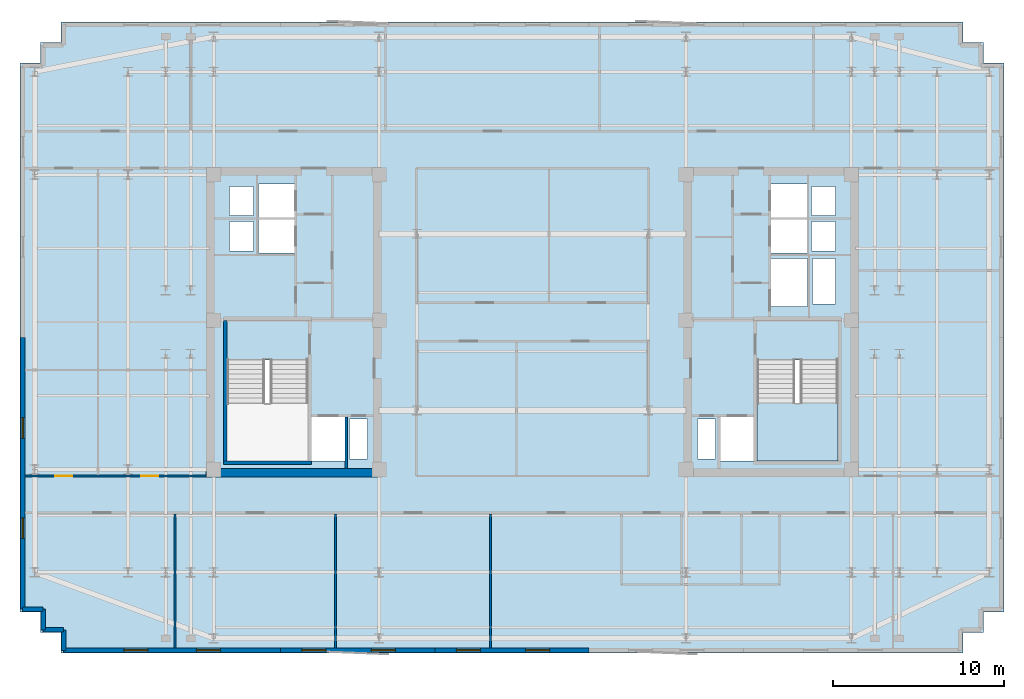
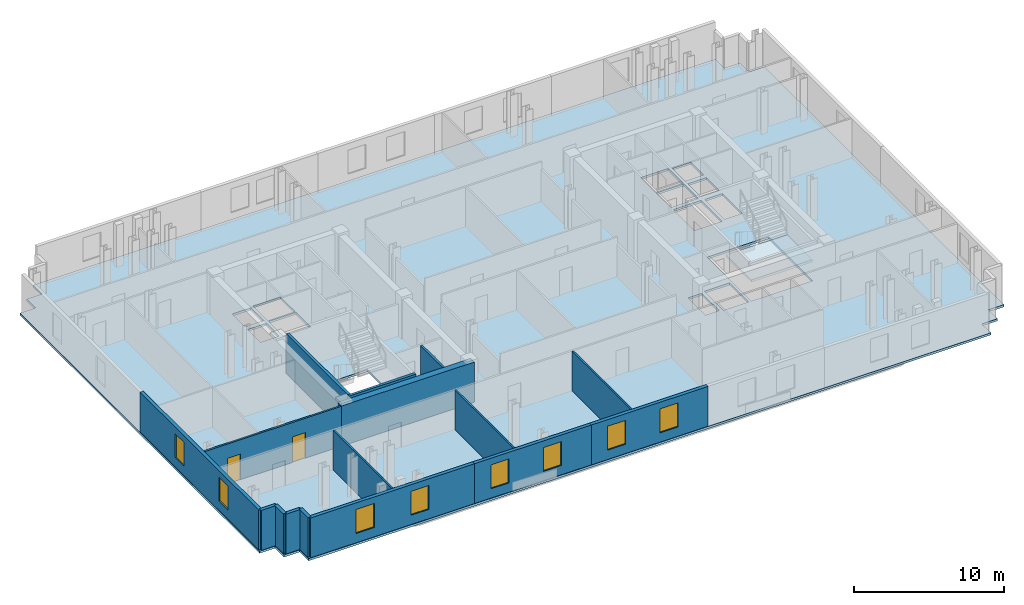
# One storey, part 3 of 9: 16 walls, 8 windows, 2 doors, 2 slabs, 10 openings, 1 element without a shape of its own.
"""IFC4 building model written with IfcOpenShell, lengths in metres."""

from ifc_helpers import new_model, si_unit, direction, frame, frame_2d, origin, place, context, subcontext, project, spatial, polyline, rectangle, outline, extrude, material, layer, layer_set, type_object, element, fill, aggregate, save


model = new_model("IFC4")

# Units and contexts
model_context = context("Model", 3, precision=1e-05, world=origin(), true_north=direction((0.0, 1.0)))
body_context = subcontext(model_context, "Body", "Model", "MODEL_VIEW")
ifc_project = project(units=[si_unit("LENGTHUNIT", "METRE"), si_unit("AREAUNIT", "SQUARE_METRE"), si_unit("VOLUMEUNIT", "CUBIC_METRE"), si_unit("PLANEANGLEUNIT", "RADIAN"), si_unit("MASSUNIT", "GRAM", prefix="KILO")], contexts=[model_context])

# Site, building, storey
site_placement = place(None, origin())
site = spatial("IfcSite", under=ifc_project, at=site_placement, CompositionType="ELEMENT")
building_placement = place(site_placement, origin())
building = spatial("IfcBuilding", under=site, at=building_placement, Name="Velakula Bourse", CompositionType="ELEMENT")
storey_placement = place(building_placement, frame((0.0, 0.0, 222.300048828125)))
storey = spatial("IfcBuildingStorey", under=building, at=storey_placement, Name="L60", CompositionType="ELEMENT", Elevation=222.300048828125)

# Stair, slab
ifc_material_1 = material(Name="Concrete M45 (fck 45 MPa)", Category="concrete")
stair_type = type_object("IfcStairType", Name="STR-DOG-390", PredefinedType="HALF_TURN_STAIR", material=ifc_material_1)
stair_placement = place(storey_placement, origin())
stair = element("IfcStair", 1, at=stair_placement, inside=storey, type_object=stair_type, Name="L60 East Core Exit Stair ST-E1", PredefinedType="HALF_TURN_STAIR")
ifc_layer_1 = layer(ifc_material_1, 0.199951171875, Name="Concrete M45 (fck 45 MPa)", Category="concrete")
ifc_layer_set_1 = layer_set([ifc_layer_1], Name="Concrete M45 (fck 45 MPa)")
slab_type_1 = type_object("IfcSlabType", Name="SLB-STAIR-LND-200", PredefinedType="LANDING", material=ifc_layer_set_1)
slab_1_placement = place(storey_placement, frame((0.0, 0.0, 1.52490234375)))
slab_1 = element("IfcSlab", 2, at=slab_1_placement, type_object=slab_type_1, Name="ST-E1 landing 1", PredefinedType="LANDING", context=body_context, shape_type="SweptSolid", body=[
    extrude(outline(polyline([(13.10009765625, -4.719970703125), (13.10009765625, -8.10009765625), (17.820068359375, -8.10009765625), (17.820068359375, -4.719970703125), (13.10009765625, -4.719970703125)])), origin(), (0.0, 0.0, 1.0), 0.199951171875),
])
aggregate(stair, [slab_1])

# Slab
ifc_material_2 = material(Name="Concrete M50 (fck 50 MPa)", Category="concrete")
ifc_layer_2 = layer(ifc_material_2, 0.179931640625, Name="Concrete M50 (fck 50 MPa)", Category="concrete")
ifc_layer_set_2 = layer_set([ifc_layer_2], Name="Concrete M50 (fck 50 MPa)")
slab_type_2 = type_object("IfcSlabType", Name="SLB-TWR-180", PredefinedType="FLOOR", material=ifc_layer_set_2)
slab_2_placement = place(storey_placement, frame((0.0, 0.0, -0.179931640625)))
element("IfcSlab", 3, at=slab_2_placement, inside=storey, type_object=slab_type_2, Name="L60 Suspended Structural Floor Slab", PredefinedType="FLOOR", context=body_context, shape_type="SweptSolid", body=[
    extrude(outline(polyline([(-27.5, -19.300048828125), (25.10009765625, -19.300048828125), (25.10009765625, -18.10009765625), (26.300048828125, -18.10009765625), (26.300048828125, -16.89990234375), (27.5, -16.89990234375), (27.5, 15.10009765625), (26.300048828125, 15.10009765625), (26.300048828125, 16.300048828125), (25.10009765625, 16.300048828125), (25.10009765625, 17.5), (-27.5, 17.5), (-27.5, 16.300048828125), (-28.699951171875, 16.300048828125), (-28.699951171875, 15.10009765625), (-29.89990234375, 15.10009765625), (-29.89990234375, -16.89990234375), (-28.699951171875, -16.89990234375), (-28.699951171875, -18.10009765625), (-27.5, -18.10009765625), (-27.5, -19.300048828125)]), holes=[polyline([(-17.820068359375, -8.10009765625), (-13.10009765625, -8.10009765625), (-13.10009765625, -2.199951171875), (-17.820068359375, -2.199951171875), (-17.820068359375, -8.10009765625)]), polyline([(13.10009765625, -8.10009765625), (17.820068359375, -8.10009765625), (17.820068359375, -2.199951171875), (13.10009765625, -2.199951171875), (13.10009765625, -8.10009765625)]), polyline([(-12.89990234375, -8.10009765625), (-10.949951171875, -8.10009765625), (-10.949951171875, -5.550048828125), (-12.89990234375, -5.550048828125), (-12.89990234375, -8.10009765625)]), polyline([(10.949951171875, -8.10009765625), (12.89990234375, -8.10009765625), (12.89990234375, -5.550048828125), (10.949951171875, -5.550048828125), (10.949951171875, -8.10009765625)]), polyline([(13.89990234375, 0.919921875), (16.050048828125, 0.919921875), (16.050048828125, 3.719970703125), (13.89990234375, 3.719970703125), (13.89990234375, 0.919921875)]), polyline([(-10.679931640625, -7.97998046875), (-9.6201171875, -7.97998046875), (-9.6201171875, -5.669921875), (-10.679931640625, -5.669921875), (-10.679931640625, -7.97998046875)]), polyline([(-17.679931640625, 4.139892578125), (-16.27001953125, 4.139892578125), (-16.27001953125, 5.85009765625), (-17.679931640625, 5.85009765625), (-17.679931640625, 4.139892578125)]), polyline([(-17.679931640625, 6.2099609375), (-16.27001953125, 6.2099609375), (-16.27001953125, 7.919921875), (-17.679931640625, 7.919921875), (-17.679931640625, 6.2099609375)]), polyline([(9.6201171875, -7.97998046875), (10.679931640625, -7.97998046875), (10.679931640625, -5.669921875), (9.6201171875, -5.669921875), (9.6201171875, -7.97998046875)]), polyline([(16.27001953125, 4.139892578125), (17.679931640625, 4.139892578125), (17.679931640625, 5.85009765625), (16.27001953125, 5.85009765625), (16.27001953125, 4.139892578125)]), polyline([(16.27001953125, 6.2099609375), (17.679931640625, 6.2099609375), (17.679931640625, 7.919921875), (16.27001953125, 7.919921875), (16.27001953125, 6.2099609375)]), polyline([(16.320068359375, 1.0400390625), (17.679931640625, 1.0400390625), (17.679931640625, 3.699951171875), (16.320068359375, 3.699951171875), (16.320068359375, 1.0400390625)]), polyline([(-16.0, 4.02001953125), (-13.89990234375, 4.02001953125), (-13.89990234375, 5.969970703125), (-16.0, 5.969970703125), (-16.0, 4.02001953125)]), polyline([(-16.0, 6.090087890625), (-13.89990234375, 6.090087890625), (-13.89990234375, 8.0400390625), (-16.0, 8.0400390625), (-16.0, 6.090087890625)]), polyline([(13.89990234375, 4.02001953125), (16.0, 4.02001953125), (16.0, 5.969970703125), (13.89990234375, 5.969970703125), (13.89990234375, 4.02001953125)]), polyline([(13.89990234375, 6.090087890625), (16.0, 6.090087890625), (16.0, 8.0400390625), (13.89990234375, 8.0400390625), (13.89990234375, 6.090087890625)])]), origin(), (0.0, 0.0, 1.0), 0.179931640625),
])

# Walls
ifc_layer_3 = layer(ifc_material_2, 0.2099609375, Name="Concrete M50 (fck 50 MPa)", Category="concrete")
ifc_layer_set_3 = layer_set([ifc_layer_3], Name="Concrete M50 (fck 50 MPa)")
wall_type_1 = type_object("IfcWallType", Name="WL-CORE-210", PredefinedType="SHEAR", material=ifc_layer_set_3)
wall_1_placement = place(storey_placement, frame((-17.925048828125, -8.10009765625, 0.0), z_axis=(0.0, 0.0, 1.0), x_axis=(0.0, 1.0, 0.0)))
element("IfcWall", 4, at=wall_1_placement, inside=storey, type_object=wall_type_1, Name="L60 Core W Stairwell Shear Wall OUT", PredefinedType="SHEAR", context=body_context, shape_type="SweptSolid", body=[
    extrude(rectangle(XDim=8.2001953125, YDim=0.2099609375, at=frame_2d((4.10009765625, 0.0))), origin(), (0.0, 0.0, 1.0), 3.27001953125),
])
wall_2_placement = place(storey_placement, frame((-18.030029296875, -8.205078125, 0.0), z_axis=(0.0, 0.0, 1.0), x_axis=(1.0, 0.0, 0.0)))
element("IfcWall", 5, at=wall_2_placement, inside=storey, type_object=wall_type_1, Name="L60 Core W Stairwell Shear Wall S", PredefinedType="SHEAR", context=body_context, shape_type="SweptSolid", body=[
    extrude(rectangle(XDim=5.14013671875, YDim=0.2099609375, at=frame_2d((2.570068359375, 0.0))), origin(), (0.0, 0.0, 1.0), 3.27001953125),
])
ifc_layer_4 = layer(ifc_material_2, 0.5, Name="Concrete M50 (fck 50 MPa)", Category="concrete")
ifc_layer_set_4 = layer_set([ifc_layer_4], Name="Concrete M50 (fck 50 MPa)")
wall_type_2 = type_object("IfcWallType", Name="WL-CORE-500", PredefinedType="SHEAR", material=ifc_layer_set_4)
wall_3_placement = place(storey_placement, frame((-19.050048828125, -8.800048828125, 0.0), z_axis=(0.0, 0.0, 1.0), x_axis=(1.0, 0.0, 0.0)))
element("IfcWall", 6, at=wall_3_placement, inside=storey, type_object=wall_type_2, Name="L60 Core W Shear Wall S", PredefinedType="SHEAR", context=body_context, shape_type="SweptSolid", body=[
    extrude(rectangle(XDim=10.25, YDim=0.5, at=frame_2d((5.125, 0.0))), origin(), (0.0, 0.0, 1.0), 3.27001953125),
])

# Wall, openings, windows
ifc_material_3 = material(Name="Buff kilned clay facing brick masonry", Category="masonry")
ifc_layer_5 = layer(ifc_material_3, 0.260009765625, Name="Buff kilned clay facing brick masonry", Category="masonry")
ifc_layer_set_5 = layer_set([ifc_layer_5], Name="Buff kilned clay facing brick masonry")
wall_type_3 = type_object("IfcWallType", Name="WL-EXT-BRK-260", PredefinedType="STANDARD", material=ifc_layer_set_5)
wall_4_placement = place(storey_placement, frame((-14.699951171875, -19.14990234375, 0.0), z_axis=(0.0, 0.0, 1.0), x_axis=(-1.0, 0.0, 0.0)))
wall_4 = element("IfcWall", 7, at=wall_4_placement, inside=storey, type_object=wall_type_3, Name="L60 S Brick Spandrel Wall B1", PredefinedType="STANDARD", context=body_context, shape_type="SweptSolid", body=[
    extrude(rectangle(XDim=12.650146484375, YDim=0.260009765625, at=frame_2d((6.3251953125, 0.0))), origin(), (0.0, 0.0, 1.0), 3.25),
])
opening_1_placement = place(wall_4_placement, frame((3.5166015625, 0.0, 0.760009765625)))
opening_1 = element("IfcOpeningElement", 8, at=opening_1_placement, cuts=wall_4, Name="Opening W-03", PredefinedType="OPENING", context=body_context, shape_type="SweptSolid", body=[
    extrude(rectangle(XDim=1.39990234375, YDim=1.949951171875, at=frame_2d((0.699951171875, 0.97509765625))), frame((0.0, 0.139892578125, 0.0), z_axis=(0.0, -1.0, 0.0), x_axis=(1.0, 0.0, 0.0)), (0.0, 0.0, 1.0), 0.280029296875),
])
opening_2_placement = place(wall_4_placement, frame((7.7333984375, 0.0, 0.760009765625)))
opening_2 = element("IfcOpeningElement", 9, at=opening_2_placement, cuts=wall_4, Name="Opening W-03", PredefinedType="OPENING", context=body_context, shape_type="SweptSolid", body=[
    extrude(rectangle(XDim=1.39990234375, YDim=1.949951171875, at=frame_2d((0.699951171875, 0.97509765625))), frame((0.0, 0.139892578125, 0.0), z_axis=(0.0, -1.0, 0.0), x_axis=(1.0, 0.0, 0.0)), (0.0, 0.0, 1.0), 0.280029296875),
])
ifc_material_4 = material(Name="Double-glazed solar-control Low-E glass", Category="glass")
window_type_1 = type_object("IfcWindowType", Name="WIN-TWR-1400x2100", PartitioningType="SINGLE_PANEL", PredefinedType="WINDOW", material=ifc_material_4)
window_1_placement = place(opening_1_placement, origin())
window_1 = element("IfcWindow", 10, at=window_1_placement, inside=storey, type_object=window_type_1, Name="L60 Deep-Set Recessed Window 1", OverallHeight=1.949951171875, OverallWidth=1.39990234375, PartitioningType="SINGLE_PANEL", PredefinedType="WINDOW", context=body_context, shape_type="SweptSolid", body=[
    extrude(rectangle(XDim=1.39990234375, YDim=1.949951171875, at=frame_2d((0.699951171875, 0.97509765625))), frame((0.0, 0.030029296875, 0.0), z_axis=(0.0, -1.0, 0.0), x_axis=(1.0, 0.0, 0.0)), (0.0, 0.0, 1.0), 0.06005859375),
])
fill(opening_1, window_1)
window_2_placement = place(opening_2_placement, origin())
window_2 = element("IfcWindow", 11, at=window_2_placement, inside=storey, type_object=window_type_1, Name="L60 Deep-Set Recessed Window 2", OverallHeight=1.949951171875, OverallWidth=1.39990234375, PartitioningType="SINGLE_PANEL", PredefinedType="WINDOW", context=body_context, shape_type="SweptSolid", body=[
    extrude(rectangle(XDim=1.39990234375, YDim=1.949951171875, at=frame_2d((0.699951171875, 0.97509765625))), frame((0.0, 0.030029296875, 0.0), z_axis=(0.0, -1.0, 0.0), x_axis=(1.0, 0.0, 0.0)), (0.0, 0.0, 1.0), 0.06005859375),
])
fill(opening_2, window_2)

wall_5_placement = place(storey_placement, frame((-5.699951171875, -19.14990234375, 0.0), z_axis=(0.0, 0.0, 1.0), x_axis=(-1.0, 0.0, 0.0)))
wall_5 = element("IfcWall", 12, at=wall_5_placement, inside=storey, type_object=wall_type_3, Name="L60 S Brick Spandrel Wall B2", PredefinedType="STANDARD", context=body_context, shape_type="SweptSolid", body=[
    extrude(rectangle(XDim=9.0, YDim=0.260009765625, at=frame_2d((4.5, 0.0))), origin(), (0.0, 0.0, 1.0), 3.25),
])
opening_3_placement = place(wall_5_placement, frame((2.300048828125, 0.0, 0.760009765625)))
opening_3 = element("IfcOpeningElement", 13, at=opening_3_placement, cuts=wall_5, Name="Opening W-03", PredefinedType="OPENING", context=body_context, shape_type="SweptSolid", body=[
    extrude(rectangle(XDim=1.39990234375, YDim=1.949951171875, at=frame_2d((0.699951171875, 0.97509765625))), frame((0.0, 0.139892578125, 0.0), z_axis=(0.0, -1.0, 0.0), x_axis=(1.0, 0.0, 0.0)), (0.0, 0.0, 1.0), 0.280029296875),
])
opening_4_placement = place(wall_5_placement, frame((6.35009765625, 0.0, 0.760009765625)))
opening_4 = element("IfcOpeningElement", 14, at=opening_4_placement, cuts=wall_5, Name="Opening W-03", PredefinedType="OPENING", context=body_context, shape_type="SweptSolid", body=[
    extrude(rectangle(XDim=1.39990234375, YDim=1.949951171875, at=frame_2d((0.699951171875, 0.97509765625))), frame((0.0, 0.139892578125, 0.0), z_axis=(0.0, -1.0, 0.0), x_axis=(1.0, 0.0, 0.0)), (0.0, 0.0, 1.0), 0.280029296875),
])
window_3_placement = place(opening_3_placement, origin())
window_3 = element("IfcWindow", 15, at=window_3_placement, inside=storey, type_object=window_type_1, Name="L60 Deep-Set Recessed Window 1", OverallHeight=1.949951171875, OverallWidth=1.39990234375, PartitioningType="SINGLE_PANEL", PredefinedType="WINDOW", context=body_context, shape_type="SweptSolid", body=[
    extrude(rectangle(XDim=1.39990234375, YDim=1.949951171875, at=frame_2d((0.699951171875, 0.97509765625))), frame((0.0, 0.030029296875, 0.0), z_axis=(0.0, -1.0, 0.0), x_axis=(1.0, 0.0, 0.0)), (0.0, 0.0, 1.0), 0.06005859375),
])
fill(opening_3, window_3)
window_4_placement = place(opening_4_placement, origin())
window_4 = element("IfcWindow", 16, at=window_4_placement, inside=storey, type_object=window_type_1, Name="L60 Deep-Set Recessed Window 2", OverallHeight=1.949951171875, OverallWidth=1.39990234375, PartitioningType="SINGLE_PANEL", PredefinedType="WINDOW", context=body_context, shape_type="SweptSolid", body=[
    extrude(rectangle(XDim=1.39990234375, YDim=1.949951171875, at=frame_2d((0.699951171875, 0.97509765625))), frame((0.0, 0.030029296875, 0.0), z_axis=(0.0, -1.0, 0.0), x_axis=(1.0, 0.0, 0.0)), (0.0, 0.0, 1.0), 0.06005859375),
])
fill(opening_4, window_4)

wall_6_placement = place(storey_placement, frame((3.300048828125, -19.14990234375, 0.0), z_axis=(0.0, 0.0, 1.0), x_axis=(-1.0, 0.0, 0.0)))
wall_6 = element("IfcWall", 17, at=wall_6_placement, inside=storey, type_object=wall_type_3, Name="L60 S Brick Spandrel Wall B3", PredefinedType="STANDARD", context=body_context, shape_type="SweptSolid", body=[
    extrude(rectangle(XDim=9.0, YDim=0.260009765625, at=frame_2d((4.5, 0.0))), origin(), (0.0, 0.0, 1.0), 3.25),
])
opening_5_placement = place(wall_6_placement, frame((2.300048828125, 0.0, 0.760009765625)))
opening_5 = element("IfcOpeningElement", 18, at=opening_5_placement, cuts=wall_6, Name="Opening W-03", PredefinedType="OPENING", context=body_context, shape_type="SweptSolid", body=[
    extrude(rectangle(XDim=1.39990234375, YDim=1.949951171875, at=frame_2d((0.699951171875, 0.97509765625))), frame((0.0, 0.139892578125, 0.0), z_axis=(0.0, -1.0, 0.0), x_axis=(1.0, 0.0, 0.0)), (0.0, 0.0, 1.0), 0.280029296875),
])
opening_6_placement = place(wall_6_placement, frame((6.35009765625, 0.0, 0.760009765625)))
opening_6 = element("IfcOpeningElement", 19, at=opening_6_placement, cuts=wall_6, Name="Opening W-03", PredefinedType="OPENING", context=body_context, shape_type="SweptSolid", body=[
    extrude(rectangle(XDim=1.39990234375, YDim=1.949951171875, at=frame_2d((0.699951171875, 0.97509765625))), frame((0.0, 0.139892578125, 0.0), z_axis=(0.0, -1.0, 0.0), x_axis=(1.0, 0.0, 0.0)), (0.0, 0.0, 1.0), 0.280029296875),
])
window_5_placement = place(opening_5_placement, origin())
window_5 = element("IfcWindow", 20, at=window_5_placement, inside=storey, type_object=window_type_1, Name="L60 Deep-Set Recessed Window 1", OverallHeight=1.949951171875, OverallWidth=1.39990234375, PartitioningType="SINGLE_PANEL", PredefinedType="WINDOW", context=body_context, shape_type="SweptSolid", body=[
    extrude(rectangle(XDim=1.39990234375, YDim=1.949951171875, at=frame_2d((0.699951171875, 0.97509765625))), frame((0.0, 0.030029296875, 0.0), z_axis=(0.0, -1.0, 0.0), x_axis=(1.0, 0.0, 0.0)), (0.0, 0.0, 1.0), 0.06005859375),
])
fill(opening_5, window_5)
window_6_placement = place(opening_6_placement, origin())
window_6 = element("IfcWindow", 21, at=window_6_placement, inside=storey, type_object=window_type_1, Name="L60 Deep-Set Recessed Window 2", OverallHeight=1.949951171875, OverallWidth=1.39990234375, PartitioningType="SINGLE_PANEL", PredefinedType="WINDOW", context=body_context, shape_type="SweptSolid", body=[
    extrude(rectangle(XDim=1.39990234375, YDim=1.949951171875, at=frame_2d((0.699951171875, 0.97509765625))), frame((0.0, 0.030029296875, 0.0), z_axis=(0.0, -1.0, 0.0), x_axis=(1.0, 0.0, 0.0)), (0.0, 0.0, 1.0), 0.06005859375),
])
fill(opening_6, window_6)

wall_7_placement = place(storey_placement, frame((-29.75, -16.75, 0.0), z_axis=(0.0, 0.0, 1.0), x_axis=(0.0, 1.0, 0.0)))
wall_7 = element("IfcWall", 22, at=wall_7_placement, inside=storey, type_object=wall_type_3, Name="L60 W Brick End Wall W1", PredefinedType="STANDARD", context=body_context, shape_type="SweptSolid", body=[
    extrude(rectangle(XDim=15.85009765625, YDim=0.260009765625, at=frame_2d((7.925048828125, 0.0))), origin(), (0.0, 0.0, 1.0), 3.25),
])
opening_7_placement = place(wall_7_placement, frame((4.13330078125, 0.0, 0.760009765625)))
opening_7 = element("IfcOpeningElement", 23, at=opening_7_placement, cuts=wall_7, Name="Opening W-04", PredefinedType="OPENING", context=body_context, shape_type="SweptSolid", body=[
    extrude(rectangle(XDim=1.199951171875, YDim=1.949951171875, at=frame_2d((0.60009765625, 0.97509765625))), frame((0.0, 0.139892578125, 0.0), z_axis=(0.0, -1.0, 0.0), x_axis=(1.0, 0.0, 0.0)), (0.0, 0.0, 1.0), 0.280029296875),
])
opening_8_placement = place(wall_7_placement, frame((9.966796875, 0.0, 0.760009765625)))
opening_8 = element("IfcOpeningElement", 24, at=opening_8_placement, cuts=wall_7, Name="Opening W-04", PredefinedType="OPENING", context=body_context, shape_type="SweptSolid", body=[
    extrude(rectangle(XDim=1.199951171875, YDim=1.949951171875, at=frame_2d((0.60009765625, 0.97509765625))), frame((0.0, 0.139892578125, 0.0), z_axis=(0.0, -1.0, 0.0), x_axis=(1.0, 0.0, 0.0)), (0.0, 0.0, 1.0), 0.280029296875),
])
window_type_2 = type_object("IfcWindowType", Name="WIN-TWR-1200x2100", PartitioningType="SINGLE_PANEL", PredefinedType="WINDOW", material=ifc_material_4)
window_7_placement = place(opening_7_placement, origin())
window_7 = element("IfcWindow", 25, at=window_7_placement, inside=storey, type_object=window_type_2, Name="L60 Deep-Set Recessed Window 1", OverallHeight=1.949951171875, OverallWidth=1.199951171875, PartitioningType="SINGLE_PANEL", PredefinedType="WINDOW", context=body_context, shape_type="SweptSolid", body=[
    extrude(rectangle(XDim=1.199951171875, YDim=1.949951171875, at=frame_2d((0.60009765625, 0.97509765625))), frame((0.0, 0.030029296875, 0.0), z_axis=(0.0, -1.0, 0.0), x_axis=(1.0, 0.0, 0.0)), (0.0, 0.0, 1.0), 0.06005859375),
])
fill(opening_7, window_7)
window_8_placement = place(opening_8_placement, origin())
window_8 = element("IfcWindow", 26, at=window_8_placement, inside=storey, type_object=window_type_2, Name="L60 Deep-Set Recessed Window 2", OverallHeight=1.949951171875, OverallWidth=1.199951171875, PartitioningType="SINGLE_PANEL", PredefinedType="WINDOW", context=body_context, shape_type="SweptSolid", body=[
    extrude(rectangle(XDim=1.199951171875, YDim=1.949951171875, at=frame_2d((0.60009765625, 0.97509765625))), frame((0.0, 0.030029296875, 0.0), z_axis=(0.0, -1.0, 0.0), x_axis=(1.0, 0.0, 0.0)), (0.0, 0.0, 1.0), 0.06005859375),
])
fill(opening_8, window_8)

# Walls
for number, where, z_axis, x_axis, name in (
    (27, (-29.75, -16.75, 0.0), (0.0, 0.0, 1.0), (1.0, 0.0, 0.0), "L60 Serrated Corner Brick Wall SW-1"),
    (28, (-28.550048828125, -16.75, 0.0), (0.0, 0.0, 1.0), (0.0, -1.0, 0.0), "L60 Serrated Corner Brick Wall SW-2"),
    (29, (-28.550048828125, -17.949951171875, 0.0), (0.0, 0.0, 1.0), (1.0, 0.0, 0.0), "L60 Serrated Corner Brick Wall SW-3"),
    (30, (-27.35009765625, -17.949951171875, 0.0), (0.0, 0.0, 1.0), (0.0, -1.0, 0.0), "L60 Serrated Corner Brick Wall SW-4"),
):
    element("IfcWall", number, at=place(storey_placement, frame(where, z_axis=z_axis, x_axis=x_axis)), inside=storey, type_object=wall_type_3, Name=name, PredefinedType="STANDARD", context=body_context, shape_type="SweptSolid", body=[
        extrude(rectangle(XDim=1.199951171875, YDim=0.260009765625, at=frame_2d((0.60009765625, 0.0))), origin(), (0.0, 0.0, 1.0), 3.25),
    ])
ifc_material_5 = material(Name="Fire-rated double-layer gypsum drywall partition", Category="gypsum")
ifc_layer_6 = layer(ifc_material_5, 0.1201171875, Name="Fire-rated double-layer gypsum drywall partition", Category="gypsum")
ifc_layer_set_6 = layer_set([ifc_layer_6], Name="Fire-rated double-layer gypsum drywall partition")
wall_type_4 = type_object("IfcWallType", Name="WL-PART-120", PredefinedType="STANDARD", material=ifc_layer_set_6)
for number, where, z_axis, x_axis, name in (
    (31, (-20.8701171875, -19.02001953125, 0.0), (0.0, 0.0, 1.0), (0.0, 1.0, 0.0), "L60 Interior Partition WL-INT-L60-SL-D5"),
    (32, (-11.485107421875, -19.02001953125, 0.0), (0.0, 0.0, 1.0), (0.0, 1.0, 0.0), "L60 Interior Partition WL-INT-L60-SL-D6"),
    (33, (-2.447021484375, -19.02001953125, 0.0), (0.0, 0.0, 1.0), (0.0, 1.0, 0.0), "L60 Interior Partition WL-INT-L60-SL-D7"),
):
    element("IfcWall", number, at=place(storey_placement, frame(where, z_axis=z_axis, x_axis=x_axis)), inside=storey, type_object=wall_type_4, Name=name, PredefinedType="STANDARD", context=body_context, shape_type="SweptSolid", body=[
        extrude(rectangle(XDim=7.830078125, YDim=0.1201171875, at=frame_2d((3.9150390625, 0.0))), origin(), (0.0, 0.0, 1.0), 3.25),
    ])

# Wall, openings, doors
ifc_layer_7 = layer(ifc_material_5, 0.139892578125, Name="Fire-rated double-layer gypsum drywall partition", Category="gypsum")
ifc_layer_set_7 = layer_set([ifc_layer_7], Name="Fire-rated double-layer gypsum drywall partition")
wall_type_5 = type_object("IfcWallType", Name="WL-PART-140", PredefinedType="STANDARD", material=ifc_layer_set_7)
wall_8_placement = place(storey_placement, frame((-29.6201171875, -8.97998046875, 0.0), z_axis=(0.0, 0.0, 1.0), x_axis=(1.0, 0.0, 0.0)))
wall_8 = element("IfcWall", 34, at=wall_8_placement, inside=storey, type_object=wall_type_5, Name="L60 Interior Partition WL-INT-L60-W-SC", PredefinedType="STANDARD", context=body_context, shape_type="SweptSolid", body=[
    extrude(rectangle(XDim=10.570068359375, YDim=0.139892578125, at=frame_2d((5.28515625, 0.0))), origin(), (0.0, 0.0, 1.0), 3.25),
])
opening_9_placement = place(wall_8_placement, frame((1.762451171875, 0.0, 0.0)))
opening_9 = element("IfcOpeningElement", 35, at=opening_9_placement, cuts=wall_8, Name="Opening D-OF1", PredefinedType="OPENING", context=body_context, shape_type="SweptSolid", body=[
    extrude(rectangle(XDim=1.0, YDim=2.080078125, at=frame_2d((0.5, 1.0400390625))), frame((0.0, 0.079833984375, 0.0), z_axis=(0.0, -1.0, 0.0), x_axis=(1.0, 0.0, 0.0)), (0.0, 0.0, 1.0), 0.159912109375),
])
opening_10_placement = place(wall_8_placement, frame((6.78759765625, 0.0, 0.0)))
opening_10 = element("IfcOpeningElement", 36, at=opening_10_placement, cuts=wall_8, Name="Opening D-OF1", PredefinedType="OPENING", context=body_context, shape_type="SweptSolid", body=[
    extrude(rectangle(XDim=1.0, YDim=2.080078125, at=frame_2d((0.5, 1.0400390625))), frame((0.0, 0.079833984375, 0.0), z_axis=(0.0, -1.0, 0.0), x_axis=(1.0, 0.0, 0.0)), (0.0, 0.0, 1.0), 0.159912109375),
])
ifc_material_6 = material(Name="Fire-rated hardwood flush architectural door", Category="wood")
door_type = type_object("IfcDoorType", Name="DR-OFF-1000", OperationType="NOTDEFINED", PredefinedType="DOOR", material=ifc_material_6)
door_1_placement = place(opening_9_placement, origin())
door_1 = element("IfcDoor", 37, at=door_1_placement, inside=storey, type_object=door_type, Name="L60 Bullion Assay Office Door", OperationType="SINGLE_SWING_LEFT", OverallHeight=2.080078125, OverallWidth=1.0, PredefinedType="DOOR", context=body_context, shape_type="SweptSolid", body=[
    extrude(rectangle(XDim=1.0, YDim=2.080078125, at=frame_2d((0.5, 1.0400390625))), frame((0.0, 0.02490234375, 0.0), z_axis=(0.0, -1.0, 0.0), x_axis=(1.0, 0.0, 0.0)), (0.0, 0.0, 1.0), 0.050048828125),
])
fill(opening_9, door_1)
door_2_placement = place(opening_10_placement, origin())
door_2 = element("IfcDoor", 38, at=door_2_placement, inside=storey, type_object=door_type, Name="L60 Executive Boardroom Door", OperationType="SINGLE_SWING_RIGHT", OverallHeight=2.080078125, OverallWidth=1.0, PredefinedType="DOOR", context=body_context, shape_type="SweptSolid", body=[
    extrude(rectangle(XDim=1.0, YDim=2.080078125, at=frame_2d((0.5, 1.0400390625))), frame((0.0, 0.02490234375, 0.0), z_axis=(0.0, -1.0, 0.0), x_axis=(1.0, 0.0, 0.0)), (0.0, 0.0, 1.0), 0.050048828125),
])
fill(opening_10, door_2)

# Wall
ifc_material_7 = material(Name="Autoclaved aerated concrete blockwork masonry", Category="masonry")
ifc_layer_8 = layer(ifc_material_7, 0.14990234375, Name="Autoclaved aerated concrete blockwork masonry", Category="masonry")
ifc_layer_set_8 = layer_set([ifc_layer_8], Name="Autoclaved aerated concrete blockwork masonry")
wall_type_6 = type_object("IfcWallType", Name="WL-SHAFT-150", PredefinedType="STANDARD", material=ifc_layer_set_8)
wall_9_placement = place(storey_placement, frame((-10.875, -8.550048828125, 0.0), z_axis=(0.0, 0.0, 1.0), x_axis=(0.0, 1.0, 0.0)))
element("IfcWall", 39, at=wall_9_placement, inside=storey, type_object=wall_type_6, Name="L60 Interior Partition WL-CRW-L60-FR-DIV", PredefinedType="STANDARD", context=body_context, shape_type="SweptSolid", body=[
    extrude(rectangle(XDim=3.0, YDim=0.14990234375, at=frame_2d((1.5, 0.0))), origin(), (0.0, 0.0, 1.0), 3.25),
])

save(model, "model.ifc")
